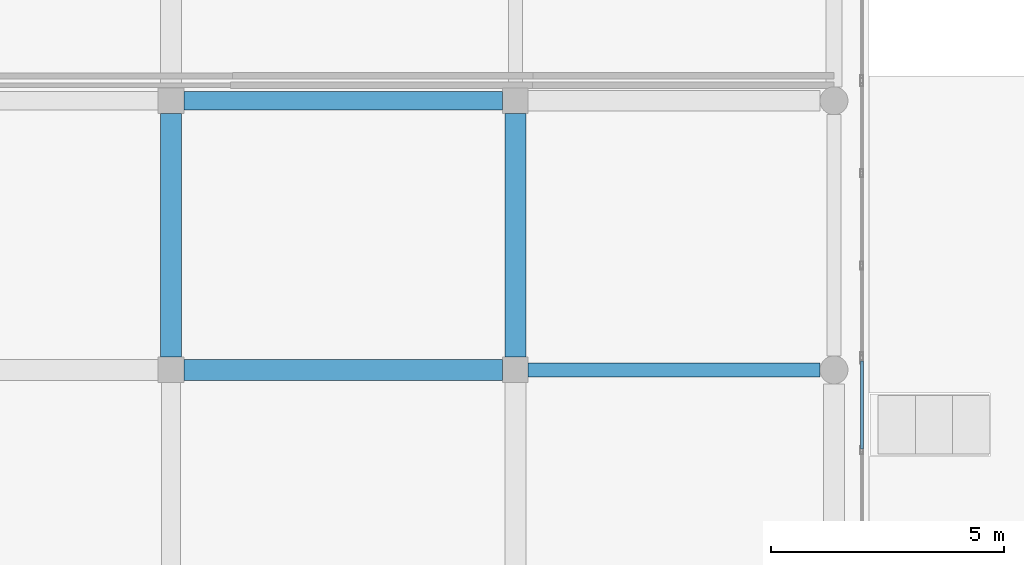
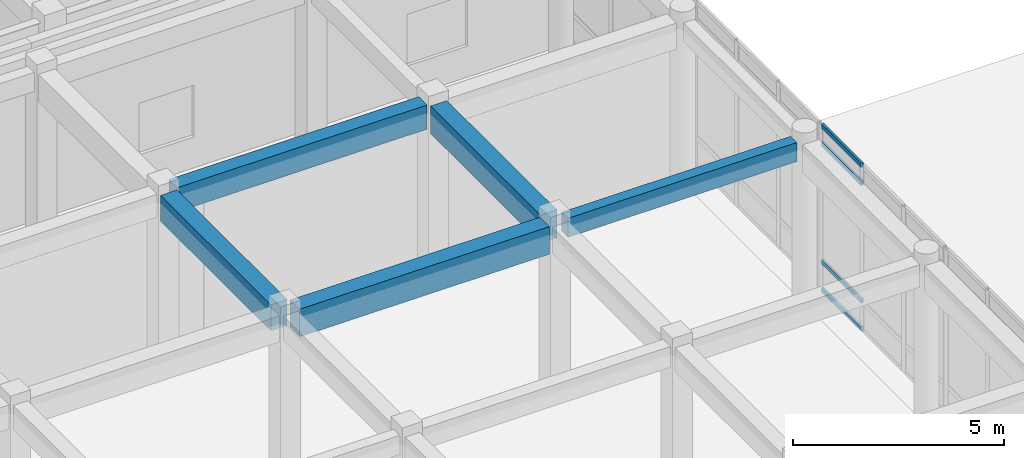
# One storey, part 39 of 121: 5 beams, 4 members, 1 element without a shape of its own.
"""IFC4 building model written with IfcOpenShell, lengths in metres."""

from ifc_helpers import new_model, si_unit, direction, frame, origin, origin_2d, place, context, subcontext, project, spatial, rectangle, hollow_rectangle, extrude, material, layer, layer_set, material_profile, profile_set, type_object, element, aggregate, save


model = new_model("IFC4")

# Units and contexts
model_context = context("Model", 3, precision=1e-05, world=origin(), true_north=direction((0.0, 1.0)))
body_context = subcontext(model_context, "Body", "Model", "MODEL_VIEW")
ifc_project = project(units=[si_unit("LENGTHUNIT", "METRE"), si_unit("AREAUNIT", "SQUARE_METRE"), si_unit("VOLUMEUNIT", "CUBIC_METRE"), si_unit("PLANEANGLEUNIT", "RADIAN"), si_unit("MASSUNIT", "GRAM", prefix="KILO")], contexts=[model_context])

# Site, building, storey
site_placement = place(None, origin())
site = spatial("IfcSite", under=ifc_project, at=site_placement, CompositionType="ELEMENT")
building_placement = place(site_placement, origin())
building = spatial("IfcBuilding", under=site, at=building_placement, Name="Valcora Specialist Clinic", CompositionType="ELEMENT")
storey_placement = place(building_placement, origin())
storey = spatial("IfcBuildingStorey", under=building, at=storey_placement, Name="L00", CompositionType="ELEMENT", Elevation=0.0)

# Beams
ifc_material_1 = material(Name="Concrete C40/50", Category="concrete")
ifc_material_profile_1 = material_profile(ifc_material_1, rectangle(XDim=0.300048828125, YDim=0.550048828125, at=origin_2d()), Name="RC-BM-300X550")
ifc_profile_set_1 = profile_set([ifc_material_profile_1], Name="Concrete C40/50")
beam_type_1 = type_object("IfcBeamType", Name="TY-BM-RC300X550", PredefinedType="BEAM", material=ifc_profile_set_1)
beam_1_placement = place(storey_placement, frame((22.675048828125, 67.678955078125, 4.534912109375), z_axis=(1.0, 0.0, 0.0), x_axis=(0.0, 1.0, 0.0)))
element("IfcBeam", 1, at=beam_1_placement, inside=storey, type_object=beam_type_1, Name="Beam BM-L00-0091", PredefinedType="BEAM", context=body_context, shape_type="SweptSolid", body=[
    extrude(rectangle(XDim=0.300048828125, YDim=0.550048828125, at=origin_2d()), origin(), (0.0, 0.0, 1.0), 6.27490234375),
])
ifc_material_profile_2 = material_profile(ifc_material_1, rectangle(XDim=0.39990234375, YDim=0.699951171875, at=origin_2d()), Name="RC-BM-400X700")
ifc_profile_set_2 = profile_set([ifc_material_profile_2], Name="Concrete C40/50")
beam_type_2 = type_object("IfcBeamType", Name="TY-BM-RC400X700", PredefinedType="BEAM", material=ifc_profile_set_2)
beam_2_placement = place(storey_placement, frame((15.27490234375, 73.464111328125, 4.4599609375), z_axis=(1.0, 0.0, 0.0), x_axis=(0.0, 1.0, 0.0)))
element("IfcBeam", 2, at=beam_2_placement, inside=storey, type_object=beam_type_2, Name="Beam BM-L00-0094", PredefinedType="BEAM", context=body_context, shape_type="SweptSolid", body=[
    extrude(rectangle(XDim=0.39990234375, YDim=0.699951171875, at=origin_2d()), origin(), (0.0, 0.0, 1.0), 6.85009765625),
])
ifc_material_profile_3 = material_profile(ifc_material_1, rectangle(XDim=0.449951171875, YDim=0.75, at=origin_2d()), Name="RC-BM-450X750")
ifc_profile_set_3 = profile_set([ifc_material_profile_3], Name="Concrete C40/50")
beam_type_3 = type_object("IfcBeamType", Name="TY-BM-RC450X750", PredefinedType="BEAM", material=ifc_profile_set_3)
beam_3_placement = place(storey_placement, frame((15.0, 67.9541015625, 4.43505859375), z_axis=(0.0, 1.0, 0.0), x_axis=(-1.0, 0.0, 0.0)))
element("IfcBeam", 3, at=beam_3_placement, inside=storey, type_object=beam_type_3, Name="Beam BM-L00-0117", PredefinedType="BEAM", context=body_context, shape_type="SweptSolid", body=[
    extrude(rectangle(XDim=0.449951171875, YDim=0.75, at=origin_2d()), origin(), (0.0, 0.0, 1.0), 5.23486328125),
])
ifc_material_profile_4 = material_profile(ifc_material_1, rectangle(XDim=0.449951171875, YDim=0.800048828125, at=origin_2d()), Name="RC-BM-450X800")
ifc_profile_set_4 = profile_set([ifc_material_profile_4], Name="Concrete C40/50")
beam_type_4 = type_object("IfcBeamType", Name="TY-BM-RC450X800", PredefinedType="BEAM", material=ifc_profile_set_4)
beam_4_placement = place(storey_placement, frame((15.27490234375, 67.678955078125, 4.409912109375), z_axis=(1.0, 0.0, 0.0), x_axis=(0.0, 1.0, 0.0)))
element("IfcBeam", 4, at=beam_4_placement, inside=storey, type_object=beam_type_4, Name="Beam BM-L00-0090", PredefinedType="BEAM", context=body_context, shape_type="SweptSolid", body=[
    extrude(rectangle(XDim=0.449951171875, YDim=0.800048828125, at=origin_2d()), origin(), (0.0, 0.0, 1.0), 6.85009765625),
])
beam_5_placement = place(storey_placement, frame((22.39990234375, 67.9541015625, 4.409912109375), z_axis=(0.0, 1.0, 0.0), x_axis=(-1.0, 0.0, 0.0)))
element("IfcBeam", 5, at=beam_5_placement, inside=storey, type_object=beam_type_4, Name="Beam BM-L00-0124", PredefinedType="BEAM", context=body_context, shape_type="SweptSolid", body=[
    extrude(rectangle(XDim=0.449951171875, YDim=0.800048828125, at=origin_2d()), origin(), (0.0, 0.0, 1.0), 5.23486328125),
])

# Curtain wall, members
ifc_material_2 = material(Name="Anodized Bronze Aluminium 6063-T6", Category="aluminium")
ifc_layer = layer(ifc_material_2, 0.175048828125)
ifc_layer_set = layer_set([ifc_layer], Name="Anodized Bronze Aluminium 6063-T6")
curtain_wall_type = type_object("IfcCurtainWallType", Name="TY-CW-HAL18", PredefinedType="NOTDEFINED", material=ifc_layer_set)
curtain_wall_placement = place(storey_placement, origin())
curtain_wall = element("IfcCurtainWall", 6, at=curtain_wall_placement, inside=storey, type_object=curtain_wall_type, Name="Curtain wall CW-L00-003", PredefinedType="NOTDEFINED")
ifc_material_profile_5 = material_profile(ifc_material_2, hollow_rectangle(XDim=0.06494140625, YDim=0.1298828125, WallThickness=0.00390625, at=origin_2d()), Name="AL-TRN-65X130")
ifc_profile_set_5 = profile_set([ifc_material_profile_5], Name="Anodized Bronze Aluminium 6063-T6")
member_type = type_object("IfcMemberType", Name="TY-CWT-65X130", PredefinedType="USERDEFINED", material=ifc_profile_set_5)
member_1_placement = place(storey_placement, frame((29.85009765625, 67.87060546875, 0.032470703125), z_axis=(0.0, -1.0, 0.0), x_axis=(1.0, 0.0, 0.0)))
member_1 = element("IfcMember", 7, at=member_1_placement, type_object=member_type, Name="CW-HAL-18 transom 1.1", ObjectType="TRANSOM", PredefinedType="USERDEFINED", context=body_context, shape_type="SweptSolid", body=[
    extrude(hollow_rectangle(XDim=0.06494140625, YDim=0.1298828125, WallThickness=0.00390625, at=origin_2d()), origin(), (0.0, 0.0, 1.0), 1.88818359375),
])
member_2_placement = place(storey_placement, frame((29.85009765625, 67.87060546875, 0.85009765625), z_axis=(0.0, -1.0, 0.0), x_axis=(1.0, 0.0, 0.0)))
member_2 = element("IfcMember", 8, at=member_2_placement, type_object=member_type, Name="CW-HAL-18 transom 1.2", ObjectType="TRANSOM", PredefinedType="USERDEFINED", context=body_context, shape_type="SweptSolid", body=[
    extrude(hollow_rectangle(XDim=0.06494140625, YDim=0.1298828125, WallThickness=0.00390625, at=origin_2d()), origin(), (0.0, 0.0, 1.0), 1.88818359375),
])
member_3_placement = place(storey_placement, frame((29.85009765625, 67.87060546875, 4.260009765625), z_axis=(0.0, -1.0, 0.0), x_axis=(1.0, 0.0, 0.0)))
member_3 = element("IfcMember", 9, at=member_3_placement, type_object=member_type, Name="CW-HAL-18 transom 1.3", ObjectType="TRANSOM", PredefinedType="USERDEFINED", context=body_context, shape_type="SweptSolid", body=[
    extrude(hollow_rectangle(XDim=0.06494140625, YDim=0.1298828125, WallThickness=0.00390625, at=origin_2d()), origin(), (0.0, 0.0, 1.0), 1.88818359375),
])
member_4_placement = place(storey_placement, frame((29.85009765625, 67.87060546875, 4.777587890625), z_axis=(0.0, -1.0, 0.0), x_axis=(1.0, 0.0, 0.0)))
member_4 = element("IfcMember", 10, at=member_4_placement, type_object=member_type, Name="CW-HAL-18 transom 1.4", ObjectType="TRANSOM", PredefinedType="USERDEFINED", context=body_context, shape_type="SweptSolid", body=[
    extrude(hollow_rectangle(XDim=0.06494140625, YDim=0.1298828125, WallThickness=0.00390625, at=origin_2d()), origin(), (0.0, 0.0, 1.0), 1.88818359375),
])
aggregate(curtain_wall, [member_1, member_2, member_3, member_4])

save(model, "model.ifc")
